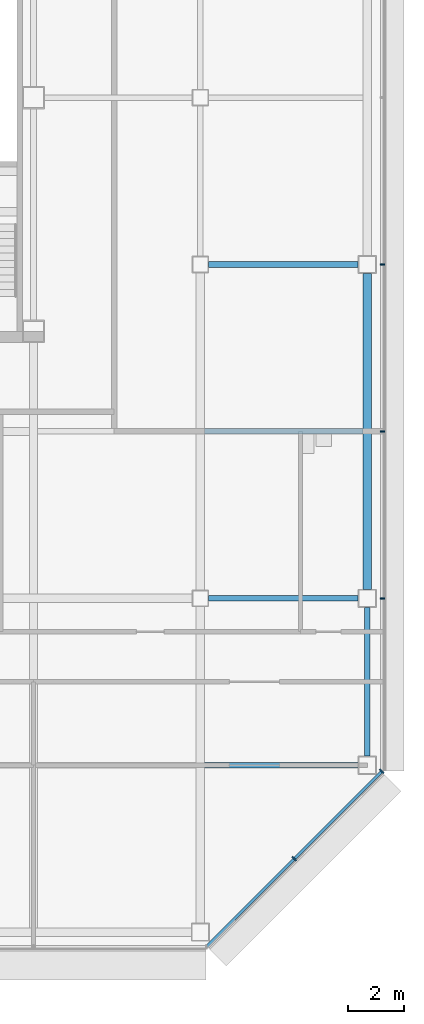
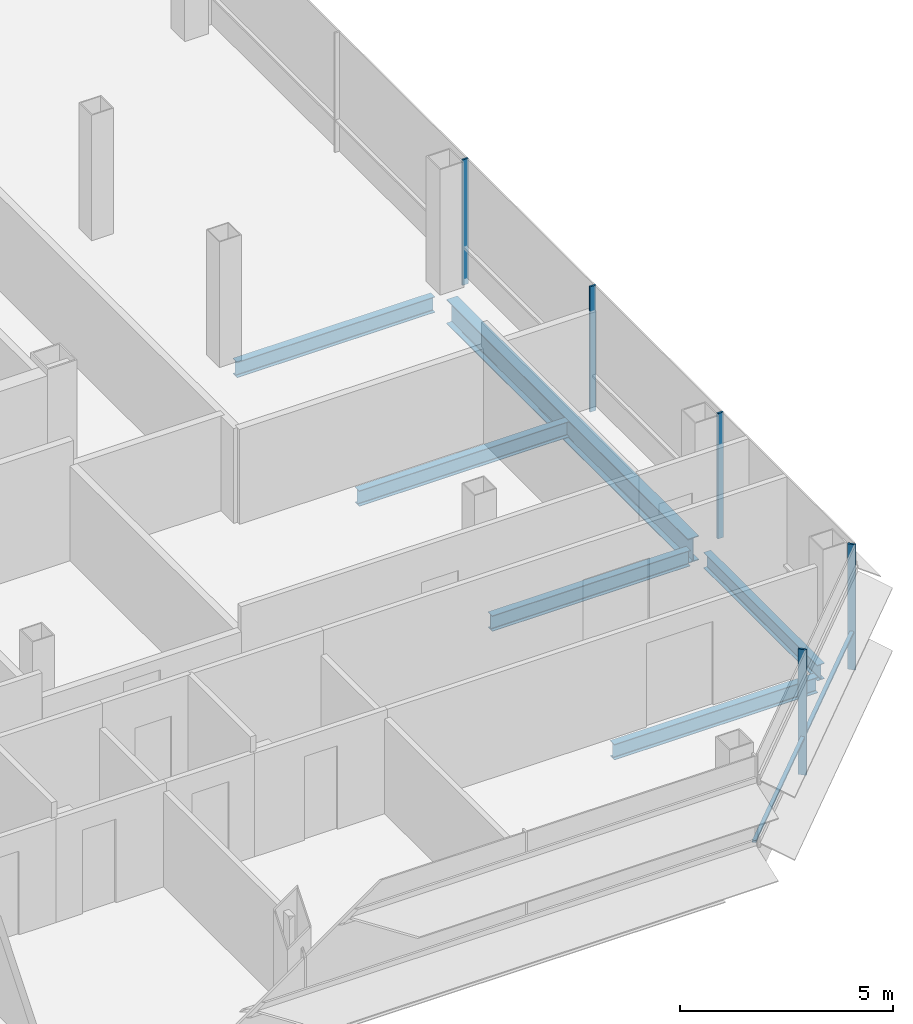
# One storey, part 16 of 27: 6 beams, 6 members, 2 elements without a shape of their own.
"""IFC4 building model written with IfcOpenShell, lengths in metres."""

from ifc_helpers import new_model, si_unit, direction, frame, origin, origin_2d, place, context, subcontext, project, spatial, rectangle, i_section, extrude, material, material_profile, profile_set, type_object, element, aggregate, save


model = new_model("IFC4")

# Units and contexts
model_context = context("Model", 3, precision=1e-05, world=origin(), true_north=direction((0.0, 1.0)))
body_context = subcontext(model_context, "Body", "Model", "MODEL_VIEW")
ifc_project = project(units=[si_unit("LENGTHUNIT", "METRE"), si_unit("AREAUNIT", "SQUARE_METRE"), si_unit("VOLUMEUNIT", "CUBIC_METRE"), si_unit("PLANEANGLEUNIT", "RADIAN"), si_unit("MASSUNIT", "GRAM", prefix="KILO")], contexts=[model_context])

# Site, building, storey
site_placement = place(None, origin())
site = spatial("IfcSite", under=ifc_project, at=site_placement, CompositionType="ELEMENT")
building_placement = place(site_placement, origin())
building = spatial("IfcBuilding", under=site, at=building_placement, Name="Sorahane Residences", CompositionType="ELEMENT")
storey_placement = place(building_placement, frame((0.0, 0.0, 239.60009765625)))
storey = spatial("IfcBuildingStorey", under=building, at=storey_placement, Name="L56", CompositionType="ELEMENT", Elevation=239.60009765625)

# Curtain wall, members
ifc_material_1 = material(Name="Dark low-e glass and black anodised aluminium", Category="aluminium")
curtain_wall_type_1 = type_object("IfcCurtainWallType", Name="Curtain wall CW-1 Typical unitised wall", PredefinedType="NOTDEFINED", material=ifc_material_1)
curtain_wall_1_placement = place(storey_placement, origin())
curtain_wall_1 = element("IfcCurtainWall", 1, at=curtain_wall_1_placement, inside=storey, type_object=curtain_wall_type_1, Name="CW-1 curtain wall L56 E1", PredefinedType="NOTDEFINED")
ifc_material_2 = material(Name="Black anodised aluminium", Category="aluminium")
ifc_material_profile_1 = material_profile(ifc_material_2, rectangle(XDim=0.159912109375, YDim=0.050048828125, at=origin_2d()), Name="Curtain wall mullion CW-1 black anodised aluminium 50x160")
ifc_profile_set_1 = profile_set([ifc_material_profile_1], Name="Black anodised aluminium")
member_type_1 = type_object("IfcMemberType", Name="Curtain wall mullion CW-1 black anodised aluminium 50x160", PredefinedType="MULLION", material=ifc_profile_set_1)
member_1_placement = place(storey_placement, frame((54.5400390625, 12.0, -0.18017578125), z_axis=(0.0, 0.0, 1.0), x_axis=(1.0, 0.0, 0.0)))
member_1 = element("IfcMember", 2, at=member_1_placement, type_object=member_type_1, Name="CW-1 mullion L56 E1.2", PredefinedType="MULLION", context=body_context, shape_type="SweptSolid", body=[
    extrude(rectangle(XDim=0.159912109375, YDim=0.050048828125, at=origin_2d()), origin(), (0.0, 0.0, 1.0), 3.60009765625),
])
member_2_placement = place(storey_placement, frame((54.5400390625, 18.0, -0.18017578125), z_axis=(0.0, 0.0, 1.0), x_axis=(1.0, 0.0, 0.0)))
member_2 = element("IfcMember", 3, at=member_2_placement, type_object=member_type_1, Name="CW-1 mullion L56 E1.3", PredefinedType="MULLION", context=body_context, shape_type="SweptSolid", body=[
    extrude(rectangle(XDim=0.159912109375, YDim=0.050048828125, at=origin_2d()), origin(), (0.0, 0.0, 1.0), 3.60009765625),
])
member_3_placement = place(storey_placement, frame((54.5400390625, 24.0, -0.18017578125), z_axis=(0.0, 0.0, 1.0), x_axis=(1.0, 0.0, 0.0)))
member_3 = element("IfcMember", 4, at=member_3_placement, type_object=member_type_1, Name="CW-1 mullion L56 E1.4", PredefinedType="MULLION", context=body_context, shape_type="SweptSolid", body=[
    extrude(rectangle(XDim=0.159912109375, YDim=0.050048828125, at=origin_2d()), origin(), (0.0, 0.0, 1.0), 3.60009765625),
])
aggregate(curtain_wall_1, [member_1, member_2, member_3])

ifc_material_3 = material(Name="Dark low-e glass and black anodised aluminium", Category="aluminium")
curtain_wall_type_2 = type_object("IfcCurtainWallType", Name="Curtain wall CW-2 Chamfer unitised wall", PredefinedType="NOTDEFINED", material=ifc_material_3)
curtain_wall_2_placement = place(storey_placement, origin())
curtain_wall_2 = element("IfcCurtainWall", 5, at=curtain_wall_2_placement, inside=storey, type_object=curtain_wall_type_2, Name="CW-2 curtain wall L56 SE1", PredefinedType="NOTDEFINED")
ifc_material_4 = material(Name="Black anodised aluminium", Category="aluminium")
ifc_material_profile_2 = material_profile(ifc_material_4, rectangle(XDim=0.199951171875, YDim=0.050048828125, at=origin_2d()), Name="Curtain wall mullion CW-2 black anodised aluminium 50x200")
ifc_profile_set_2 = profile_set([ifc_material_profile_2], Name="Black anodised aluminium")
member_type_2 = type_object("IfcMemberType", Name="Curtain wall mullion CW-2 black anodised aluminium 50x200", PredefinedType="MULLION", material=ifc_profile_set_2)
member_4_placement = place(storey_placement, frame((51.36767578125, 2.63232421875, -0.18017578125), z_axis=(0.0, 0.0, 1.0), x_axis=(0.707106781187, -0.707106781187, 0.0)))
member_4 = element("IfcMember", 6, at=member_4_placement, type_object=member_type_2, Name="CW-2 mullion L56 SE1.2", PredefinedType="MULLION", context=body_context, shape_type="SweptSolid", body=[
    extrude(rectangle(XDim=0.199951171875, YDim=0.050048828125, at=origin_2d()), origin(), (0.0, 0.0, 1.0), 3.60009765625),
])
member_5_placement = place(storey_placement, frame((54.525634765625, 5.790283203125, -0.18017578125), z_axis=(0.0, 0.0, 1.0), x_axis=(0.707106781187, -0.707106781187, 0.0)))
member_5 = element("IfcMember", 7, at=member_5_placement, type_object=member_type_2, Name="CW-2 mullion L56 SE1.3", PredefinedType="MULLION", context=body_context, shape_type="SweptSolid", body=[
    extrude(rectangle(XDim=0.199951171875, YDim=0.050048828125, at=origin_2d()), origin(), (0.0, 0.0, 1.0), 3.60009765625),
])
ifc_material_5 = material(Name="Black anodised aluminium", Category="aluminium")
ifc_material_profile_3 = material_profile(ifc_material_5, rectangle(XDim=0.10009765625, YDim=0.06005859375, at=origin_2d()), Name="Curtain wall transom CW-2 black anodised aluminium 60x100")
ifc_profile_set_3 = profile_set([ifc_material_profile_3], Name="Black anodised aluminium")
member_type_3 = type_object("IfcMemberType", Name="Curtain wall transom CW-2 black anodised aluminium 60x100", PredefinedType="USERDEFINED", material=ifc_profile_set_3)
member_6_placement = place(storey_placement, frame((48.234375, -0.51513671875, 0.89990234375), z_axis=(0.707106781187, 0.707106781187, 0.0), x_axis=(-0.707106781187, 0.707106781187, 0.0)))
member_6 = element("IfcMember", 8, at=member_6_placement, type_object=member_type_3, Name="CW-2 transom L56 SE1", ObjectType="TRANSOM", PredefinedType="USERDEFINED", context=body_context, shape_type="SweptSolid", body=[
    extrude(rectangle(XDim=0.10009765625, YDim=0.06005859375, at=origin_2d()), origin(), (0.0, 0.0, 1.0), 8.88232421875),
])
aggregate(curtain_wall_2, [member_4, member_5, member_6])

# Beams
ifc_material_6 = material(Name="Steel Q355B", Category="steel")
ifc_material_profile_4 = material_profile(ifc_material_6, i_section(OverallWidth=0.199951171875, OverallDepth=0.449951171875, WebThickness=0.009033203125, FlangeThickness=0.013916015625, FilletRadius=0.02001953125, at=origin_2d()), Name="HN 450x200x9x14")
ifc_profile_set_4 = profile_set([ifc_material_profile_4], Name="Steel Q355B")
beam_type_1 = type_object("IfcBeamType", Name="Steel floor beam HN 450x200x9x14 Q355B", PredefinedType="BEAM", material=ifc_profile_set_4)
for number, where, z_axis, x_axis, name in (
    (9, (48.300048828125, 12.0, -0.405029296875), (1.0, 0.0, 0.0), (0.0, 1.0, 0.0), "Beam L56 010"),
    (10, (48.300048828125, 24.0, -0.405029296875), (1.0, 0.0, 0.0), (0.0, 1.0, 0.0), "Beam L56 012"),
):
    element("IfcBeam", number, at=place(storey_placement, frame(where, z_axis=z_axis, x_axis=x_axis)), inside=storey, type_object=beam_type_1, Name=name, PredefinedType="BEAM", context=body_context, shape_type="SweptSolid", body=[
        extrude(i_section(OverallWidth=0.199951171875, OverallDepth=0.449951171875, WebThickness=0.009033203125, FlangeThickness=0.013916015625, FilletRadius=0.02001953125, at=origin_2d()), origin(), (0.0, 0.0, 1.0), 5.375),
    ])
beam_1_placement = place(storey_placement, frame((54.0, 6.324951171875, -0.405029296875), z_axis=(0.0, 1.0, 0.0), x_axis=(-1.0, 0.0, 0.0)))
element("IfcBeam", 11, at=beam_1_placement, inside=storey, type_object=beam_type_1, Name="Beam L56 064", PredefinedType="BEAM", context=body_context, shape_type="SweptSolid", body=[
    extrude(i_section(OverallWidth=0.199951171875, OverallDepth=0.449951171875, WebThickness=0.009033203125, FlangeThickness=0.013916015625, FilletRadius=0.02001953125, at=origin_2d()), origin(), (0.0, 0.0, 1.0), 5.35009765625),
])
beam_2_placement = place(storey_placement, frame((48.14990234375, 6.0, -0.405029296875), z_axis=(1.0, 0.0, 0.0), x_axis=(0.0, 1.0, 0.0)))
element("IfcBeam", 12, at=beam_2_placement, inside=storey, type_object=beam_type_1, Name="Beam L56 077", PredefinedType="BEAM", context=body_context, shape_type="SweptSolid", body=[
    extrude(i_section(OverallWidth=0.199951171875, OverallDepth=0.449951171875, WebThickness=0.009033203125, FlangeThickness=0.013916015625, FilletRadius=0.02001953125, at=origin_2d()), origin(), (0.0, 0.0, 1.0), 5.525146484375),
])
beam_3_placement = place(storey_placement, frame((48.14990234375, 18.0, -0.405029296875), z_axis=(1.0, 0.0, 0.0), x_axis=(0.0, 1.0, 0.0)))
element("IfcBeam", 13, at=beam_3_placement, inside=storey, type_object=beam_type_1, Name="Beam L56 084", PredefinedType="BEAM", context=body_context, shape_type="SweptSolid", body=[
    extrude(i_section(OverallWidth=0.199951171875, OverallDepth=0.449951171875, WebThickness=0.009033203125, FlangeThickness=0.013916015625, FilletRadius=0.02001953125, at=origin_2d()), origin(), (0.0, 0.0, 1.0), 5.7001953125),
])
ifc_material_7 = material(Name="Steel Q355B", Category="steel")
ifc_material_profile_5 = material_profile(ifc_material_7, i_section(OverallWidth=0.300048828125, OverallDepth=0.699951171875, WebThickness=0.012939453125, FlangeThickness=0.02392578125, FilletRadius=0.028076171875, at=origin_2d()), Name="HN 700x300x13x24")
ifc_profile_set_5 = profile_set([ifc_material_profile_5], Name="Steel Q355B")
beam_type_2 = type_object("IfcBeamType", Name="Steel floor beam HN 700x300x13x24 Q355B", PredefinedType="BEAM", material=ifc_profile_set_5)
beam_4_placement = place(storey_placement, frame((54.0, 12.324951171875, -0.530029296875), z_axis=(0.0, 1.0, 0.0), x_axis=(-1.0, 0.0, 0.0)))
element("IfcBeam", 14, at=beam_4_placement, inside=storey, type_object=beam_type_2, Name="Beam L56 065", PredefinedType="BEAM", context=body_context, shape_type="SweptSolid", body=[
    extrude(i_section(OverallWidth=0.300048828125, OverallDepth=0.699951171875, WebThickness=0.012939453125, FlangeThickness=0.02392578125, FilletRadius=0.028076171875, at=origin_2d()), origin(), (0.0, 0.0, 1.0), 11.35009765625),
])

save(model, "model.ifc")
